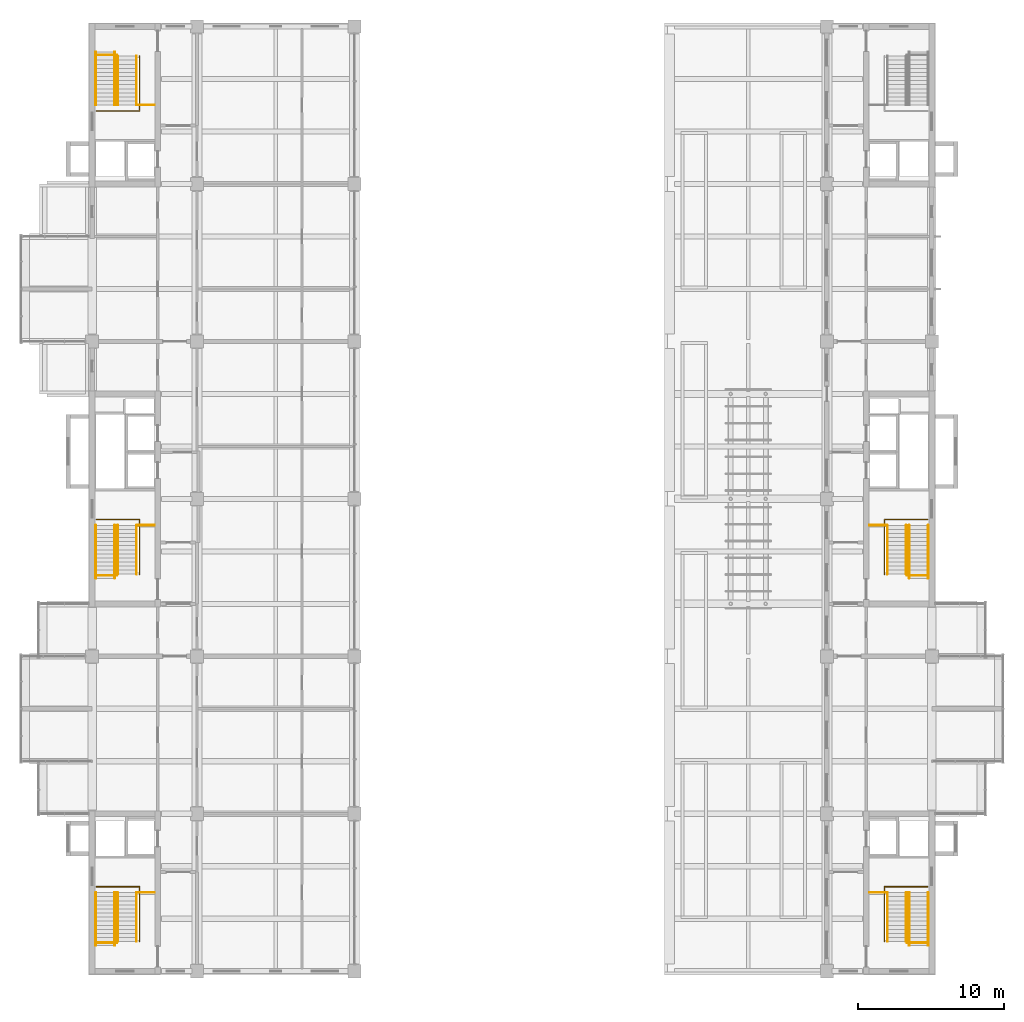
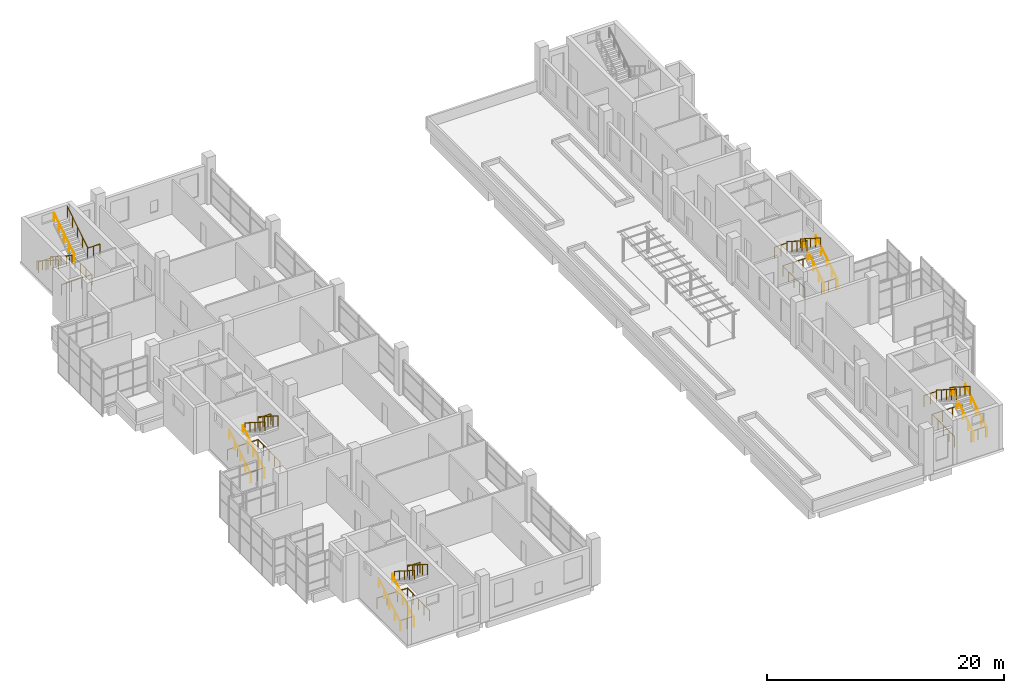
# One storey, part 31 of 32: 35 railings.
"""IFC4 building model written with IfcOpenShell, lengths in metres."""

from ifc_helpers import new_model, si_unit, direction, frame, origin, origin_2d, place, context, subcontext, project, spatial, circle, extrude, material, type_object, element, save


model = new_model("IFC4")

# Units and contexts
model_context = context("Model", 3, precision=1e-05, world=origin(), true_north=direction((0.0, 1.0)))
body_context = subcontext(model_context, "Body", "Model", "MODEL_VIEW")
ifc_project = project(units=[si_unit("LENGTHUNIT", "METRE"), si_unit("AREAUNIT", "SQUARE_METRE"), si_unit("VOLUMEUNIT", "CUBIC_METRE"), si_unit("PLANEANGLEUNIT", "RADIAN"), si_unit("MASSUNIT", "GRAM", prefix="KILO")], contexts=[model_context])

# Site, building, storey
site_placement = place(None, origin())
site = spatial("IfcSite", under=ifc_project, at=site_placement, CompositionType="ELEMENT")
building_placement = place(site_placement, origin())
building = spatial("IfcBuilding", under=site, at=building_placement, Name="Basin Gate Institute", CompositionType="ELEMENT")
storey_placement = place(building_placement, frame((0.0, 0.0, 41.39990234375)))
storey = spatial("IfcBuildingStorey", under=building, at=storey_placement, Name="L08", CompositionType="ELEMENT", Elevation=41.39990234375)

# Railings
ifc_material_1 = material(Name="Stainless steel", Category="steel")
railing_type_1 = type_object("IfcRailingType", Name="Stair guard GR1", PredefinedType="GUARDRAIL", material=ifc_material_1)
railing_1_placement = place(storey_placement, frame((64.449951171875, 37.1298828125, 0.0)))
element("IfcRailing", 1, at=railing_1_placement, inside=storey, type_object=railing_type_1, material=ifc_material_1, Name="Stair guard GR1 WS GD3-L07", PredefinedType="GUARDRAIL", context=body_context, shape_type="SweptSolid", body=[
    extrude(circle(Radius=0.02392578125, at=origin_2d()), frame((0.0, 0.0, 1.076171875), z_axis=(0.0, 1.0, 0.0), x_axis=(-1.0, 0.0, 0.0)), (0.0, 0.0, 1.0), 3.760009765625),
    extrude(circle(Radius=0.02392578125, at=origin_2d()), frame((0.0, 3.760009765625, 1.076171875), z_axis=(-1.0, 0.0, 0.0), x_axis=(0.0, -1.0, 0.0)), (0.0, 0.0, 1.0), 2.949951171875),
    extrude(circle(Radius=0.02099609375, at=origin_2d()), origin(), (0.0, 0.0, 1.0), 1.052001953125),
    extrude(circle(Radius=0.02099609375, at=origin_2d()), frame((0.0, 0.93994140625, 0.0)), (0.0, 0.0, 1.0), 1.052001953125),
    extrude(circle(Radius=0.02099609375, at=origin_2d()), frame((0.0, 1.8798828125, 0.0)), (0.0, 0.0, 1.0), 1.052001953125),
    extrude(circle(Radius=0.02099609375, at=origin_2d()), frame((0.0, 2.820068359375, 0.0)), (0.0, 0.0, 1.0), 1.052001953125),
    extrude(circle(Radius=0.02099609375, at=origin_2d()), frame((0.0, 3.760009765625, 0.0)), (0.0, 0.0, 1.0), 1.052001953125),
    extrude(circle(Radius=0.02099609375, at=origin_2d()), frame((-0.9833984375, 3.760009765625, 0.0)), (0.0, 0.0, 1.0), 1.052001953125),
    extrude(circle(Radius=0.02099609375, at=origin_2d()), frame((-1.966552734375, 3.760009765625, 0.0)), (0.0, 0.0, 1.0), 1.052001953125),
    extrude(circle(Radius=0.02099609375, at=origin_2d()), frame((-2.949951171875, 3.760009765625, 0.0)), (0.0, 0.0, 1.0), 1.052001953125),
])
railing_2_placement = place(storey_placement, frame((61.5, 37.050048828125, 0.0)))
element("IfcRailing", 2, at=railing_2_placement, inside=storey, type_object=railing_type_1, material=ifc_material_1, Name="Stair guard GR1 WS GD4-L07", PredefinedType="GUARDRAIL", context=body_context, shape_type="SweptSolid", body=[
    extrude(circle(Radius=0.02392578125, at=origin_2d()), frame((0.0, 0.0, 1.076171875), z_axis=(1.0, 0.0, 0.0), x_axis=(0.0, 1.0, 0.0)), (0.0, 0.0, 1.0), 1.39990234375),
    extrude(circle(Radius=0.02099609375, at=origin_2d()), origin(), (0.0, 0.0, 1.0), 1.052001953125),
    extrude(circle(Radius=0.02099609375, at=origin_2d()), frame((0.699951171875, 0.0, 0.0)), (0.0, 0.0, 1.0), 1.052001953125),
    extrude(circle(Radius=0.02099609375, at=origin_2d()), frame((1.39990234375, 0.0, 0.0)), (0.0, 0.0, 1.0), 1.052001953125),
])
railing_3_placement = place(storey_placement, frame((64.449951171875, 62.330078125, 0.0)))
element("IfcRailing", 3, at=railing_3_placement, inside=storey, type_object=railing_type_1, material=ifc_material_1, Name="Stair guard GR1 WM GD3-L07", PredefinedType="GUARDRAIL", context=body_context, shape_type="SweptSolid", body=[
    extrude(circle(Radius=0.02392578125, at=origin_2d()), frame((0.0, 0.0, 1.076171875), z_axis=(0.0, 1.0, 0.0), x_axis=(-1.0, 0.0, 0.0)), (0.0, 0.0, 1.0), 3.760009765625),
    extrude(circle(Radius=0.02392578125, at=origin_2d()), frame((0.0, 3.760009765625, 1.076171875), z_axis=(-1.0, 0.0, 0.0), x_axis=(0.0, -1.0, 0.0)), (0.0, 0.0, 1.0), 2.949951171875),
    extrude(circle(Radius=0.02099609375, at=origin_2d()), origin(), (0.0, 0.0, 1.0), 1.052001953125),
    extrude(circle(Radius=0.02099609375, at=origin_2d()), frame((0.0, 0.93994140625, 0.0)), (0.0, 0.0, 1.0), 1.052001953125),
    extrude(circle(Radius=0.02099609375, at=origin_2d()), frame((0.0, 1.8798828125, 0.0)), (0.0, 0.0, 1.0), 1.052001953125),
    extrude(circle(Radius=0.02099609375, at=origin_2d()), frame((0.0, 2.820068359375, 0.0)), (0.0, 0.0, 1.0), 1.052001953125),
    extrude(circle(Radius=0.02099609375, at=origin_2d()), frame((0.0, 3.760009765625, 0.0)), (0.0, 0.0, 1.0), 1.052001953125),
    extrude(circle(Radius=0.02099609375, at=origin_2d()), frame((-0.9833984375, 3.760009765625, 0.0)), (0.0, 0.0, 1.0), 1.052001953125),
    extrude(circle(Radius=0.02099609375, at=origin_2d()), frame((-1.966552734375, 3.760009765625, 0.0)), (0.0, 0.0, 1.0), 1.052001953125),
    extrude(circle(Radius=0.02099609375, at=origin_2d()), frame((-2.949951171875, 3.760009765625, 0.0)), (0.0, 0.0, 1.0), 1.052001953125),
])
railing_4_placement = place(storey_placement, frame((61.5, 62.25, 0.0)))
element("IfcRailing", 4, at=railing_4_placement, inside=storey, type_object=railing_type_1, material=ifc_material_1, Name="Stair guard GR1 WM GD4-L07", PredefinedType="GUARDRAIL", context=body_context, shape_type="SweptSolid", body=[
    extrude(circle(Radius=0.02392578125, at=origin_2d()), frame((0.0, 0.0, 1.076171875), z_axis=(1.0, 0.0, 0.0), x_axis=(0.0, 1.0, 0.0)), (0.0, 0.0, 1.0), 1.39990234375),
    extrude(circle(Radius=0.02099609375, at=origin_2d()), origin(), (0.0, 0.0, 1.0), 1.052001953125),
    extrude(circle(Radius=0.02099609375, at=origin_2d()), frame((0.699951171875, 0.0, 0.0)), (0.0, 0.0, 1.0), 1.052001953125),
    extrude(circle(Radius=0.02099609375, at=origin_2d()), frame((1.39990234375, 0.0, 0.0)), (0.0, 0.0, 1.0), 1.052001953125),
])
railing_5_placement = place(storey_placement, frame((64.449951171875, 97.8701171875, 0.0)))
element("IfcRailing", 5, at=railing_5_placement, inside=storey, type_object=railing_type_1, material=ifc_material_1, Name="Stair guard GR1 WN GD3-L07", PredefinedType="GUARDRAIL", context=body_context, shape_type="SweptSolid", body=[
    extrude(circle(Radius=0.02392578125, at=origin_2d()), frame((0.0, 0.0, 1.076171875), z_axis=(0.0, -1.0, 0.0), x_axis=(1.0, 0.0, 0.0)), (0.0, 0.0, 1.0), 3.760009765625),
    extrude(circle(Radius=0.02392578125, at=origin_2d()), frame((0.0, -3.760009765625, 1.076171875), z_axis=(-1.0, 0.0, 0.0), x_axis=(0.0, -1.0, 0.0)), (0.0, 0.0, 1.0), 2.949951171875),
    extrude(circle(Radius=0.02099609375, at=origin_2d()), origin(), (0.0, 0.0, 1.0), 1.052001953125),
    extrude(circle(Radius=0.02099609375, at=origin_2d()), frame((0.0, -0.93994140625, 0.0)), (0.0, 0.0, 1.0), 1.052001953125),
    extrude(circle(Radius=0.02099609375, at=origin_2d()), frame((0.0, -1.8798828125, 0.0)), (0.0, 0.0, 1.0), 1.052001953125),
    extrude(circle(Radius=0.02099609375, at=origin_2d()), frame((0.0, -2.820068359375, 0.0)), (0.0, 0.0, 1.0), 1.052001953125),
    extrude(circle(Radius=0.02099609375, at=origin_2d()), frame((0.0, -3.760009765625, 0.0)), (0.0, 0.0, 1.0), 1.052001953125),
    extrude(circle(Radius=0.02099609375, at=origin_2d()), frame((-0.9833984375, -3.760009765625, 0.0)), (0.0, 0.0, 1.0), 1.052001953125),
    extrude(circle(Radius=0.02099609375, at=origin_2d()), frame((-1.966552734375, -3.760009765625, 0.0)), (0.0, 0.0, 1.0), 1.052001953125),
    extrude(circle(Radius=0.02099609375, at=origin_2d()), frame((-2.949951171875, -3.760009765625, 0.0)), (0.0, 0.0, 1.0), 1.052001953125),
])
railing_6_placement = place(storey_placement, frame((61.5, 97.949951171875, 0.0)))
element("IfcRailing", 6, at=railing_6_placement, inside=storey, type_object=railing_type_1, material=ifc_material_1, Name="Stair guard GR1 WN GD4-L07", PredefinedType="GUARDRAIL", context=body_context, shape_type="SweptSolid", body=[
    extrude(circle(Radius=0.02392578125, at=origin_2d()), frame((0.0, 0.0, 1.076171875), z_axis=(1.0, 0.0, 0.0), x_axis=(0.0, 1.0, 0.0)), (0.0, 0.0, 1.0), 1.39990234375),
    extrude(circle(Radius=0.02099609375, at=origin_2d()), origin(), (0.0, 0.0, 1.0), 1.052001953125),
    extrude(circle(Radius=0.02099609375, at=origin_2d()), frame((0.699951171875, 0.0, 0.0)), (0.0, 0.0, 1.0), 1.052001953125),
    extrude(circle(Radius=0.02099609375, at=origin_2d()), frame((1.39990234375, 0.0, 0.0)), (0.0, 0.0, 1.0), 1.052001953125),
])
railing_7_placement = place(storey_placement, frame((115.550048828125, 37.1298828125, 0.0)))
element("IfcRailing", 7, at=railing_7_placement, inside=storey, type_object=railing_type_1, material=ifc_material_1, Name="Stair guard GR1 ES GD3-L07", PredefinedType="GUARDRAIL", context=body_context, shape_type="SweptSolid", body=[
    extrude(circle(Radius=0.02392578125, at=origin_2d()), frame((0.0, 0.0, 1.076171875), z_axis=(0.0, 1.0, 0.0), x_axis=(-1.0, 0.0, 0.0)), (0.0, 0.0, 1.0), 3.760009765625),
    extrude(circle(Radius=0.02392578125, at=origin_2d()), frame((0.0, 3.760009765625, 1.076171875), z_axis=(1.0, 0.0, 0.0), x_axis=(0.0, 1.0, 0.0)), (0.0, 0.0, 1.0), 2.949951171875),
    extrude(circle(Radius=0.02099609375, at=origin_2d()), origin(), (0.0, 0.0, 1.0), 1.052001953125),
    extrude(circle(Radius=0.02099609375, at=origin_2d()), frame((0.0, 0.93994140625, 0.0)), (0.0, 0.0, 1.0), 1.052001953125),
    extrude(circle(Radius=0.02099609375, at=origin_2d()), frame((0.0, 1.8798828125, 0.0)), (0.0, 0.0, 1.0), 1.052001953125),
    extrude(circle(Radius=0.02099609375, at=origin_2d()), frame((0.0, 2.820068359375, 0.0)), (0.0, 0.0, 1.0), 1.052001953125),
    extrude(circle(Radius=0.02099609375, at=origin_2d()), frame((0.0, 3.760009765625, 0.0)), (0.0, 0.0, 1.0), 1.052001953125),
    extrude(circle(Radius=0.02099609375, at=origin_2d()), frame((0.9833984375, 3.760009765625, 0.0)), (0.0, 0.0, 1.0), 1.052001953125),
    extrude(circle(Radius=0.02099609375, at=origin_2d()), frame((1.966552734375, 3.760009765625, 0.0)), (0.0, 0.0, 1.0), 1.052001953125),
    extrude(circle(Radius=0.02099609375, at=origin_2d()), frame((2.949951171875, 3.760009765625, 0.0)), (0.0, 0.0, 1.0), 1.052001953125),
])
railing_8_placement = place(storey_placement, frame((118.5, 37.050048828125, 0.0)))
element("IfcRailing", 8, at=railing_8_placement, inside=storey, type_object=railing_type_1, material=ifc_material_1, Name="Stair guard GR1 ES GD4-L07", PredefinedType="GUARDRAIL", context=body_context, shape_type="SweptSolid", body=[
    extrude(circle(Radius=0.02392578125, at=origin_2d()), frame((0.0, 0.0, 1.076171875), z_axis=(-1.0, 0.0, 0.0), x_axis=(0.0, -1.0, 0.0)), (0.0, 0.0, 1.0), 1.39990234375),
    extrude(circle(Radius=0.02099609375, at=origin_2d()), origin(), (0.0, 0.0, 1.0), 1.052001953125),
    extrude(circle(Radius=0.02099609375, at=origin_2d()), frame((-0.699951171875, 0.0, 0.0)), (0.0, 0.0, 1.0), 1.052001953125),
    extrude(circle(Radius=0.02099609375, at=origin_2d()), frame((-1.39990234375, 0.0, 0.0)), (0.0, 0.0, 1.0), 1.052001953125),
])
railing_9_placement = place(storey_placement, frame((115.550048828125, 62.330078125, 0.0)))
element("IfcRailing", 9, at=railing_9_placement, inside=storey, type_object=railing_type_1, material=ifc_material_1, Name="Stair guard GR1 EM GD3-L07", PredefinedType="GUARDRAIL", context=body_context, shape_type="SweptSolid", body=[
    extrude(circle(Radius=0.02392578125, at=origin_2d()), frame((0.0, 0.0, 1.076171875), z_axis=(0.0, 1.0, 0.0), x_axis=(-1.0, 0.0, 0.0)), (0.0, 0.0, 1.0), 3.760009765625),
    extrude(circle(Radius=0.02392578125, at=origin_2d()), frame((0.0, 3.760009765625, 1.076171875), z_axis=(1.0, 0.0, 0.0), x_axis=(0.0, 1.0, 0.0)), (0.0, 0.0, 1.0), 2.949951171875),
    extrude(circle(Radius=0.02099609375, at=origin_2d()), origin(), (0.0, 0.0, 1.0), 1.052001953125),
    extrude(circle(Radius=0.02099609375, at=origin_2d()), frame((0.0, 0.93994140625, 0.0)), (0.0, 0.0, 1.0), 1.052001953125),
    extrude(circle(Radius=0.02099609375, at=origin_2d()), frame((0.0, 1.8798828125, 0.0)), (0.0, 0.0, 1.0), 1.052001953125),
    extrude(circle(Radius=0.02099609375, at=origin_2d()), frame((0.0, 2.820068359375, 0.0)), (0.0, 0.0, 1.0), 1.052001953125),
    extrude(circle(Radius=0.02099609375, at=origin_2d()), frame((0.0, 3.760009765625, 0.0)), (0.0, 0.0, 1.0), 1.052001953125),
    extrude(circle(Radius=0.02099609375, at=origin_2d()), frame((0.9833984375, 3.760009765625, 0.0)), (0.0, 0.0, 1.0), 1.052001953125),
    extrude(circle(Radius=0.02099609375, at=origin_2d()), frame((1.966552734375, 3.760009765625, 0.0)), (0.0, 0.0, 1.0), 1.052001953125),
    extrude(circle(Radius=0.02099609375, at=origin_2d()), frame((2.949951171875, 3.760009765625, 0.0)), (0.0, 0.0, 1.0), 1.052001953125),
])
railing_10_placement = place(storey_placement, frame((118.5, 62.25, 0.0)))
element("IfcRailing", 10, at=railing_10_placement, inside=storey, type_object=railing_type_1, material=ifc_material_1, Name="Stair guard GR1 EM GD4-L07", PredefinedType="GUARDRAIL", context=body_context, shape_type="SweptSolid", body=[
    extrude(circle(Radius=0.02392578125, at=origin_2d()), frame((0.0, 0.0, 1.076171875), z_axis=(-1.0, 0.0, 0.0), x_axis=(0.0, -1.0, 0.0)), (0.0, 0.0, 1.0), 1.39990234375),
    extrude(circle(Radius=0.02099609375, at=origin_2d()), origin(), (0.0, 0.0, 1.0), 1.052001953125),
    extrude(circle(Radius=0.02099609375, at=origin_2d()), frame((-0.699951171875, 0.0, 0.0)), (0.0, 0.0, 1.0), 1.052001953125),
    extrude(circle(Radius=0.02099609375, at=origin_2d()), frame((-1.39990234375, 0.0, 0.0)), (0.0, 0.0, 1.0), 1.052001953125),
])
railing_11_placement = place(storey_placement, frame((64.25, 40.489990234375, 2.666748046875)))
element("IfcRailing", 11, at=railing_11_placement, inside=storey, type_object=railing_type_1, material=ifc_material_1, Name="Stair guard GR1 WS GD1", PredefinedType="GUARDRAIL", context=body_context, shape_type="SweptSolid", body=[
    extrude(circle(Radius=0.02392578125, at=origin_2d()), frame((0.0, 0.0, 1.076171875), z_axis=(0.0, -0.844224270207, 0.535990094679), x_axis=(1.0, 0.0, 0.0)), (0.0, 0.0, 1.0), 3.980224609375),
    extrude(circle(Radius=0.02099609375, at=origin_2d()), origin(), (0.0, 0.0, 1.0), 1.052001953125),
    extrude(circle(Radius=0.02099609375, at=origin_2d()), frame((0.0, -0.840087890625, 0.533203125)), (0.0, 0.0, 1.0), 1.052001953125),
    extrude(circle(Radius=0.02099609375, at=origin_2d()), frame((0.0, -1.68017578125, 1.066650390625)), (0.0, 0.0, 1.0), 1.052001953125),
    extrude(circle(Radius=0.02099609375, at=origin_2d()), frame((0.0, -2.52001953125, 1.60009765625)), (0.0, 0.0, 1.0), 1.052001953125),
    extrude(circle(Radius=0.02099609375, at=origin_2d()), frame((0.0, -3.360107421875, 2.13330078125)), (0.0, 0.0, 1.0), 1.052001953125),
])
railing_12_placement = place(storey_placement, frame((64.25, 65.68994140625, 2.666748046875)))
element("IfcRailing", 12, at=railing_12_placement, inside=storey, type_object=railing_type_1, material=ifc_material_1, Name="Stair guard GR1 WM GD1", PredefinedType="GUARDRAIL", context=body_context, shape_type="SweptSolid", body=[
    extrude(circle(Radius=0.02392578125, at=origin_2d()), frame((0.0, 0.0, 1.076171875), z_axis=(0.0, -0.844206646714, 0.536017851983), x_axis=(1.0, 0.0, 0.0)), (0.0, 0.0, 1.0), 3.97998046875),
    extrude(circle(Radius=0.02099609375, at=origin_2d()), origin(), (0.0, 0.0, 1.0), 1.052001953125),
    extrude(circle(Radius=0.02099609375, at=origin_2d()), frame((0.0, -0.83984375, 0.533203125)), (0.0, 0.0, 1.0), 1.052001953125),
    extrude(circle(Radius=0.02099609375, at=origin_2d()), frame((0.0, -1.679931640625, 1.066650390625)), (0.0, 0.0, 1.0), 1.052001953125),
    extrude(circle(Radius=0.02099609375, at=origin_2d()), frame((0.0, -2.52001953125, 1.60009765625)), (0.0, 0.0, 1.0), 1.052001953125),
    extrude(circle(Radius=0.02099609375, at=origin_2d()), frame((0.0, -3.35986328125, 2.13330078125)), (0.0, 0.0, 1.0), 1.052001953125),
])
railing_13_placement = place(storey_placement, frame((64.25, 94.510009765625, 2.666748046875)))
element("IfcRailing", 13, at=railing_13_placement, inside=storey, type_object=railing_type_1, material=ifc_material_1, Name="Stair guard GR1 WN GD1", PredefinedType="GUARDRAIL", context=body_context, shape_type="SweptSolid", body=[
    extrude(circle(Radius=0.02392578125, at=origin_2d()), frame((0.0, 0.0, 1.076171875), z_axis=(0.0, 0.844224270207, 0.535990094679), x_axis=(-1.0, 0.0, 0.0)), (0.0, 0.0, 1.0), 3.980224609375),
    extrude(circle(Radius=0.02099609375, at=origin_2d()), origin(), (0.0, 0.0, 1.0), 1.052001953125),
    extrude(circle(Radius=0.02099609375, at=origin_2d()), frame((0.0, 0.840087890625, 0.533203125)), (0.0, 0.0, 1.0), 1.052001953125),
    extrude(circle(Radius=0.02099609375, at=origin_2d()), frame((0.0, 1.68017578125, 1.066650390625)), (0.0, 0.0, 1.0), 1.052001953125),
    extrude(circle(Radius=0.02099609375, at=origin_2d()), frame((0.0, 2.52001953125, 1.60009765625)), (0.0, 0.0, 1.0), 1.052001953125),
    extrude(circle(Radius=0.02099609375, at=origin_2d()), frame((0.0, 3.360107421875, 2.13330078125)), (0.0, 0.0, 1.0), 1.052001953125),
])
railing_14_placement = place(storey_placement, frame((115.75, 40.489990234375, 2.666748046875)))
element("IfcRailing", 14, at=railing_14_placement, inside=storey, type_object=railing_type_1, material=ifc_material_1, Name="Stair guard GR1 ES GD1", PredefinedType="GUARDRAIL", context=body_context, shape_type="SweptSolid", body=[
    extrude(circle(Radius=0.02392578125, at=origin_2d()), frame((0.0, 0.0, 1.076171875), z_axis=(0.0, -0.844224270207, 0.535990094679), x_axis=(1.0, 0.0, 0.0)), (0.0, 0.0, 1.0), 3.980224609375),
    extrude(circle(Radius=0.02099609375, at=origin_2d()), origin(), (0.0, 0.0, 1.0), 1.052001953125),
    extrude(circle(Radius=0.02099609375, at=origin_2d()), frame((0.0, -0.840087890625, 0.533203125)), (0.0, 0.0, 1.0), 1.052001953125),
    extrude(circle(Radius=0.02099609375, at=origin_2d()), frame((0.0, -1.68017578125, 1.066650390625)), (0.0, 0.0, 1.0), 1.052001953125),
    extrude(circle(Radius=0.02099609375, at=origin_2d()), frame((0.0, -2.52001953125, 1.60009765625)), (0.0, 0.0, 1.0), 1.052001953125),
    extrude(circle(Radius=0.02099609375, at=origin_2d()), frame((0.0, -3.360107421875, 2.13330078125)), (0.0, 0.0, 1.0), 1.052001953125),
])
railing_15_placement = place(storey_placement, frame((115.75, 65.68994140625, 2.666748046875)))
element("IfcRailing", 15, at=railing_15_placement, inside=storey, type_object=railing_type_1, material=ifc_material_1, Name="Stair guard GR1 EM GD1", PredefinedType="GUARDRAIL", context=body_context, shape_type="SweptSolid", body=[
    extrude(circle(Radius=0.02392578125, at=origin_2d()), frame((0.0, 0.0, 1.076171875), z_axis=(0.0, -0.844206646714, 0.536017851983), x_axis=(1.0, 0.0, 0.0)), (0.0, 0.0, 1.0), 3.97998046875),
    extrude(circle(Radius=0.02099609375, at=origin_2d()), origin(), (0.0, 0.0, 1.0), 1.052001953125),
    extrude(circle(Radius=0.02099609375, at=origin_2d()), frame((0.0, -0.83984375, 0.533203125)), (0.0, 0.0, 1.0), 1.052001953125),
    extrude(circle(Radius=0.02099609375, at=origin_2d()), frame((0.0, -1.679931640625, 1.066650390625)), (0.0, 0.0, 1.0), 1.052001953125),
    extrude(circle(Radius=0.02099609375, at=origin_2d()), frame((0.0, -2.52001953125, 1.60009765625)), (0.0, 0.0, 1.0), 1.052001953125),
    extrude(circle(Radius=0.02099609375, at=origin_2d()), frame((0.0, -3.35986328125, 2.13330078125)), (0.0, 0.0, 1.0), 1.052001953125),
])
ifc_material_2 = material(Name="Stainless steel", Category="steel")
railing_type_2 = type_object("IfcRailingType", Name="Stair guard GR3", PredefinedType="GUARDRAIL", material=ifc_material_2)
for number, where, name in (
    (16, (64.25, 40.489990234375, 2.489013671875), "Stair guard GR3 WS GD2"),
    (17, (64.25, 65.68994140625, 2.489013671875), "Stair guard GR3 WM GD2"),
    (18, (64.25, 94.510009765625, 2.489013671875), "Stair guard GR3 WN GD2"),
):
    element("IfcRailing", number, at=place(storey_placement, frame(where)), inside=storey, type_object=railing_type_2, material=ifc_material_2, Name=name, PredefinedType="GUARDRAIL", context=body_context, shape_type="SweptSolid", body=[
        extrude(circle(Radius=0.02392578125, at=origin_2d()), frame((0.0, 0.0, 1.1259765625), z_axis=(1.0, 0.0, 0.0), x_axis=(0.0, 1.0, 0.0)), (0.0, 0.0, 1.0), 1.219970703125),
        extrude(circle(Radius=0.02099609375, at=origin_2d()), origin(), (0.0, 0.0, 1.0), 1.101806640625),
        extrude(circle(Radius=0.02099609375, at=origin_2d()), frame((0.60986328125, 0.0, 0.0)), (0.0, 0.0, 1.0), 1.101806640625),
        extrude(circle(Radius=0.02099609375, at=origin_2d()), frame((1.219970703125, 0.0, 0.0)), (0.0, 0.0, 1.0), 1.101806640625),
    ])
for number, where, name in (
    (19, (115.75, 40.489990234375, 2.489013671875), "Stair guard GR3 ES GD2"),
    (20, (115.75, 65.68994140625, 2.489013671875), "Stair guard GR3 EM GD2"),
):
    element("IfcRailing", number, at=place(storey_placement, frame(where)), inside=storey, type_object=railing_type_2, material=ifc_material_2, Name=name, PredefinedType="GUARDRAIL", context=body_context, shape_type="SweptSolid", body=[
        extrude(circle(Radius=0.02392578125, at=origin_2d()), frame((0.0, 0.0, 1.1259765625), z_axis=(-1.0, 0.0, 0.0), x_axis=(0.0, -1.0, 0.0)), (0.0, 0.0, 1.0), 1.219970703125),
        extrude(circle(Radius=0.02099609375, at=origin_2d()), origin(), (0.0, 0.0, 1.0), 1.101806640625),
        extrude(circle(Radius=0.02099609375, at=origin_2d()), frame((-0.60986328125, 0.0, 0.0)), (0.0, 0.0, 1.0), 1.101806640625),
        extrude(circle(Radius=0.02099609375, at=origin_2d()), frame((-1.219970703125, 0.0, 0.0)), (0.0, 0.0, 1.0), 1.101806640625),
    ])
ifc_material_3 = material(Name="Stainless steel", Category="steel")
railing_type_3 = type_object("IfcRailingType", Name="Stair handrail HR1", PredefinedType="HANDRAIL", material=ifc_material_3)
for number, where, name in (
    (21, (61.449951171875, 36.85009765625, 0.177978515625), "Stair handrail HR1 WS HR1"),
    (22, (62.75, 36.85009765625, 0.177978515625), "Stair handrail HR1 WS HR2"),
):
    element("IfcRailing", number, at=place(storey_placement, frame(where)), inside=storey, type_object=railing_type_3, material=ifc_material_3, Name=name, PredefinedType="HANDRAIL", context=body_context, shape_type="SweptSolid", body=[
        extrude(circle(Radius=0.02392578125, at=origin_2d()), frame((0.0, 0.0, 0.89599609375), z_axis=(0.0, 0.84421362867, 0.536006855523), x_axis=(-1.0, 0.0, 0.0)), (0.0, 0.0, 1.0), 4.3115234375),
        extrude(circle(Radius=0.02099609375, at=origin_2d()), origin(), (0.0, 0.0, 1.0), 0.871826171875),
        extrude(circle(Radius=0.02099609375, at=origin_2d()), frame((0.0, 0.909912109375, 0.57763671875)), (0.0, 0.0, 1.0), 0.871826171875),
        extrude(circle(Radius=0.02099609375, at=origin_2d()), frame((0.0, 1.81982421875, 1.155517578125)), (0.0, 0.0, 1.0), 0.871826171875),
        extrude(circle(Radius=0.02099609375, at=origin_2d()), frame((0.0, 2.72998046875, 1.7333984375)), (0.0, 0.0, 1.0), 0.871826171875),
        extrude(circle(Radius=0.02099609375, at=origin_2d()), frame((0.0, 3.639892578125, 2.31103515625)), (0.0, 0.0, 1.0), 0.871826171875),
    ])
railing_16_placement = place(storey_placement, frame((62.949951171875, 40.489990234375, 2.666748046875)))
element("IfcRailing", 23, at=railing_16_placement, inside=storey, type_object=railing_type_3, material=ifc_material_3, Name="Stair handrail HR1 WS HR3", PredefinedType="HANDRAIL", context=body_context, shape_type="SweptSolid", body=[
    extrude(circle(Radius=0.02392578125, at=origin_2d()), frame((0.0, 0.0, 0.89599609375), z_axis=(0.0, -0.844224270207, 0.535990094679), x_axis=(1.0, 0.0, 0.0)), (0.0, 0.0, 1.0), 3.980224609375),
    extrude(circle(Radius=0.02099609375, at=origin_2d()), origin(), (0.0, 0.0, 1.0), 0.871826171875),
    extrude(circle(Radius=0.02099609375, at=origin_2d()), frame((0.0, -0.840087890625, 0.533203125)), (0.0, 0.0, 1.0), 0.871826171875),
    extrude(circle(Radius=0.02099609375, at=origin_2d()), frame((0.0, -1.68017578125, 1.066650390625)), (0.0, 0.0, 1.0), 0.871826171875),
    extrude(circle(Radius=0.02099609375, at=origin_2d()), frame((0.0, -2.52001953125, 1.60009765625)), (0.0, 0.0, 1.0), 0.871826171875),
    extrude(circle(Radius=0.02099609375, at=origin_2d()), frame((0.0, -3.360107421875, 2.13330078125)), (0.0, 0.0, 1.0), 0.871826171875),
])
for number, where, name in (
    (24, (61.449951171875, 62.050048828125, 0.177978515625), "Stair handrail HR1 WM HR1"),
    (25, (62.75, 62.050048828125, 0.177978515625), "Stair handrail HR1 WM HR2"),
):
    element("IfcRailing", number, at=place(storey_placement, frame(where)), inside=storey, type_object=railing_type_3, material=ifc_material_3, Name=name, PredefinedType="HANDRAIL", context=body_context, shape_type="SweptSolid", body=[
        extrude(circle(Radius=0.02392578125, at=origin_2d()), frame((0.0, 0.0, 0.89599609375), z_axis=(0.0, 0.84421362867, 0.536006855523), x_axis=(-1.0, 0.0, 0.0)), (0.0, 0.0, 1.0), 4.3115234375),
        extrude(circle(Radius=0.02099609375, at=origin_2d()), origin(), (0.0, 0.0, 1.0), 0.871826171875),
        extrude(circle(Radius=0.02099609375, at=origin_2d()), frame((0.0, 0.909912109375, 0.57763671875)), (0.0, 0.0, 1.0), 0.871826171875),
        extrude(circle(Radius=0.02099609375, at=origin_2d()), frame((0.0, 1.81982421875, 1.155517578125)), (0.0, 0.0, 1.0), 0.871826171875),
        extrude(circle(Radius=0.02099609375, at=origin_2d()), frame((0.0, 2.72998046875, 1.7333984375)), (0.0, 0.0, 1.0), 0.871826171875),
        extrude(circle(Radius=0.02099609375, at=origin_2d()), frame((0.0, 3.639892578125, 2.31103515625)), (0.0, 0.0, 1.0), 0.871826171875),
    ])
railing_17_placement = place(storey_placement, frame((62.949951171875, 65.68994140625, 2.666748046875)))
element("IfcRailing", 26, at=railing_17_placement, inside=storey, type_object=railing_type_3, material=ifc_material_3, Name="Stair handrail HR1 WM HR3", PredefinedType="HANDRAIL", context=body_context, shape_type="SweptSolid", body=[
    extrude(circle(Radius=0.02392578125, at=origin_2d()), frame((0.0, 0.0, 0.89599609375), z_axis=(0.0, -0.844206646714, 0.536017851983), x_axis=(1.0, 0.0, 0.0)), (0.0, 0.0, 1.0), 3.97998046875),
    extrude(circle(Radius=0.02099609375, at=origin_2d()), origin(), (0.0, 0.0, 1.0), 0.871826171875),
    extrude(circle(Radius=0.02099609375, at=origin_2d()), frame((0.0, -0.83984375, 0.533203125)), (0.0, 0.0, 1.0), 0.871826171875),
    extrude(circle(Radius=0.02099609375, at=origin_2d()), frame((0.0, -1.679931640625, 1.066650390625)), (0.0, 0.0, 1.0), 0.871826171875),
    extrude(circle(Radius=0.02099609375, at=origin_2d()), frame((0.0, -2.52001953125, 1.60009765625)), (0.0, 0.0, 1.0), 0.871826171875),
    extrude(circle(Radius=0.02099609375, at=origin_2d()), frame((0.0, -3.35986328125, 2.13330078125)), (0.0, 0.0, 1.0), 0.871826171875),
])
for number, where, name in (
    (27, (61.449951171875, 98.14990234375, 0.177978515625), "Stair handrail HR1 WN HR1"),
    (28, (62.75, 98.14990234375, 0.177978515625), "Stair handrail HR1 WN HR2"),
):
    element("IfcRailing", number, at=place(storey_placement, frame(where)), inside=storey, type_object=railing_type_3, material=ifc_material_3, Name=name, PredefinedType="HANDRAIL", context=body_context, shape_type="SweptSolid", body=[
        extrude(circle(Radius=0.02392578125, at=origin_2d()), frame((0.0, 0.0, 0.89599609375), z_axis=(0.0, -0.84421362867, 0.536006855523), x_axis=(1.0, 0.0, 0.0)), (0.0, 0.0, 1.0), 4.3115234375),
        extrude(circle(Radius=0.02099609375, at=origin_2d()), origin(), (0.0, 0.0, 1.0), 0.871826171875),
        extrude(circle(Radius=0.02099609375, at=origin_2d()), frame((0.0, -0.909912109375, 0.57763671875)), (0.0, 0.0, 1.0), 0.871826171875),
        extrude(circle(Radius=0.02099609375, at=origin_2d()), frame((0.0, -1.81982421875, 1.155517578125)), (0.0, 0.0, 1.0), 0.871826171875),
        extrude(circle(Radius=0.02099609375, at=origin_2d()), frame((0.0, -2.72998046875, 1.7333984375)), (0.0, 0.0, 1.0), 0.871826171875),
        extrude(circle(Radius=0.02099609375, at=origin_2d()), frame((0.0, -3.639892578125, 2.31103515625)), (0.0, 0.0, 1.0), 0.871826171875),
    ])
railing_18_placement = place(storey_placement, frame((62.949951171875, 94.510009765625, 2.666748046875)))
element("IfcRailing", 29, at=railing_18_placement, inside=storey, type_object=railing_type_3, material=ifc_material_3, Name="Stair handrail HR1 WN HR3", PredefinedType="HANDRAIL", context=body_context, shape_type="SweptSolid", body=[
    extrude(circle(Radius=0.02392578125, at=origin_2d()), frame((0.0, 0.0, 0.89599609375), z_axis=(0.0, 0.844224270207, 0.535990094679), x_axis=(-1.0, 0.0, 0.0)), (0.0, 0.0, 1.0), 3.980224609375),
    extrude(circle(Radius=0.02099609375, at=origin_2d()), origin(), (0.0, 0.0, 1.0), 0.871826171875),
    extrude(circle(Radius=0.02099609375, at=origin_2d()), frame((0.0, 0.840087890625, 0.533203125)), (0.0, 0.0, 1.0), 0.871826171875),
    extrude(circle(Radius=0.02099609375, at=origin_2d()), frame((0.0, 1.68017578125, 1.066650390625)), (0.0, 0.0, 1.0), 0.871826171875),
    extrude(circle(Radius=0.02099609375, at=origin_2d()), frame((0.0, 2.52001953125, 1.60009765625)), (0.0, 0.0, 1.0), 0.871826171875),
    extrude(circle(Radius=0.02099609375, at=origin_2d()), frame((0.0, 3.360107421875, 2.13330078125)), (0.0, 0.0, 1.0), 0.871826171875),
])
for number, where, name in (
    (30, (118.550048828125, 36.85009765625, 0.177978515625), "Stair handrail HR1 ES HR1"),
    (31, (117.25, 36.85009765625, 0.177978515625), "Stair handrail HR1 ES HR2"),
):
    element("IfcRailing", number, at=place(storey_placement, frame(where)), inside=storey, type_object=railing_type_3, material=ifc_material_3, Name=name, PredefinedType="HANDRAIL", context=body_context, shape_type="SweptSolid", body=[
        extrude(circle(Radius=0.02392578125, at=origin_2d()), frame((0.0, 0.0, 0.89599609375), z_axis=(0.0, 0.84421362867, 0.536006855523), x_axis=(-1.0, 0.0, 0.0)), (0.0, 0.0, 1.0), 4.3115234375),
        extrude(circle(Radius=0.02099609375, at=origin_2d()), origin(), (0.0, 0.0, 1.0), 0.871826171875),
        extrude(circle(Radius=0.02099609375, at=origin_2d()), frame((0.0, 0.909912109375, 0.57763671875)), (0.0, 0.0, 1.0), 0.871826171875),
        extrude(circle(Radius=0.02099609375, at=origin_2d()), frame((0.0, 1.81982421875, 1.155517578125)), (0.0, 0.0, 1.0), 0.871826171875),
        extrude(circle(Radius=0.02099609375, at=origin_2d()), frame((0.0, 2.72998046875, 1.7333984375)), (0.0, 0.0, 1.0), 0.871826171875),
        extrude(circle(Radius=0.02099609375, at=origin_2d()), frame((0.0, 3.639892578125, 2.31103515625)), (0.0, 0.0, 1.0), 0.871826171875),
    ])
railing_19_placement = place(storey_placement, frame((117.050048828125, 40.489990234375, 2.666748046875)))
element("IfcRailing", 32, at=railing_19_placement, inside=storey, type_object=railing_type_3, material=ifc_material_3, Name="Stair handrail HR1 ES HR3", PredefinedType="HANDRAIL", context=body_context, shape_type="SweptSolid", body=[
    extrude(circle(Radius=0.02392578125, at=origin_2d()), frame((0.0, 0.0, 0.89599609375), z_axis=(0.0, -0.844224270207, 0.535990094679), x_axis=(1.0, 0.0, 0.0)), (0.0, 0.0, 1.0), 3.980224609375),
    extrude(circle(Radius=0.02099609375, at=origin_2d()), origin(), (0.0, 0.0, 1.0), 0.871826171875),
    extrude(circle(Radius=0.02099609375, at=origin_2d()), frame((0.0, -0.840087890625, 0.533203125)), (0.0, 0.0, 1.0), 0.871826171875),
    extrude(circle(Radius=0.02099609375, at=origin_2d()), frame((0.0, -1.68017578125, 1.066650390625)), (0.0, 0.0, 1.0), 0.871826171875),
    extrude(circle(Radius=0.02099609375, at=origin_2d()), frame((0.0, -2.52001953125, 1.60009765625)), (0.0, 0.0, 1.0), 0.871826171875),
    extrude(circle(Radius=0.02099609375, at=origin_2d()), frame((0.0, -3.360107421875, 2.13330078125)), (0.0, 0.0, 1.0), 0.871826171875),
])
for number, where, name in (
    (33, (118.550048828125, 62.050048828125, 0.177978515625), "Stair handrail HR1 EM HR1"),
    (34, (117.25, 62.050048828125, 0.177978515625), "Stair handrail HR1 EM HR2"),
):
    element("IfcRailing", number, at=place(storey_placement, frame(where)), inside=storey, type_object=railing_type_3, material=ifc_material_3, Name=name, PredefinedType="HANDRAIL", context=body_context, shape_type="SweptSolid", body=[
        extrude(circle(Radius=0.02392578125, at=origin_2d()), frame((0.0, 0.0, 0.89599609375), z_axis=(0.0, 0.84421362867, 0.536006855523), x_axis=(-1.0, 0.0, 0.0)), (0.0, 0.0, 1.0), 4.3115234375),
        extrude(circle(Radius=0.02099609375, at=origin_2d()), origin(), (0.0, 0.0, 1.0), 0.871826171875),
        extrude(circle(Radius=0.02099609375, at=origin_2d()), frame((0.0, 0.909912109375, 0.57763671875)), (0.0, 0.0, 1.0), 0.871826171875),
        extrude(circle(Radius=0.02099609375, at=origin_2d()), frame((0.0, 1.81982421875, 1.155517578125)), (0.0, 0.0, 1.0), 0.871826171875),
        extrude(circle(Radius=0.02099609375, at=origin_2d()), frame((0.0, 2.72998046875, 1.7333984375)), (0.0, 0.0, 1.0), 0.871826171875),
        extrude(circle(Radius=0.02099609375, at=origin_2d()), frame((0.0, 3.639892578125, 2.31103515625)), (0.0, 0.0, 1.0), 0.871826171875),
    ])
railing_20_placement = place(storey_placement, frame((117.050048828125, 65.68994140625, 2.666748046875)))
element("IfcRailing", 35, at=railing_20_placement, inside=storey, type_object=railing_type_3, material=ifc_material_3, Name="Stair handrail HR1 EM HR3", PredefinedType="HANDRAIL", context=body_context, shape_type="SweptSolid", body=[
    extrude(circle(Radius=0.02392578125, at=origin_2d()), frame((0.0, 0.0, 0.89599609375), z_axis=(0.0, -0.844206646714, 0.536017851983), x_axis=(1.0, 0.0, 0.0)), (0.0, 0.0, 1.0), 3.97998046875),
    extrude(circle(Radius=0.02099609375, at=origin_2d()), origin(), (0.0, 0.0, 1.0), 0.871826171875),
    extrude(circle(Radius=0.02099609375, at=origin_2d()), frame((0.0, -0.83984375, 0.533203125)), (0.0, 0.0, 1.0), 0.871826171875),
    extrude(circle(Radius=0.02099609375, at=origin_2d()), frame((0.0, -1.679931640625, 1.066650390625)), (0.0, 0.0, 1.0), 0.871826171875),
    extrude(circle(Radius=0.02099609375, at=origin_2d()), frame((0.0, -2.52001953125, 1.60009765625)), (0.0, 0.0, 1.0), 0.871826171875),
    extrude(circle(Radius=0.02099609375, at=origin_2d()), frame((0.0, -3.35986328125, 2.13330078125)), (0.0, 0.0, 1.0), 0.871826171875),
])

save(model, "model.ifc")
